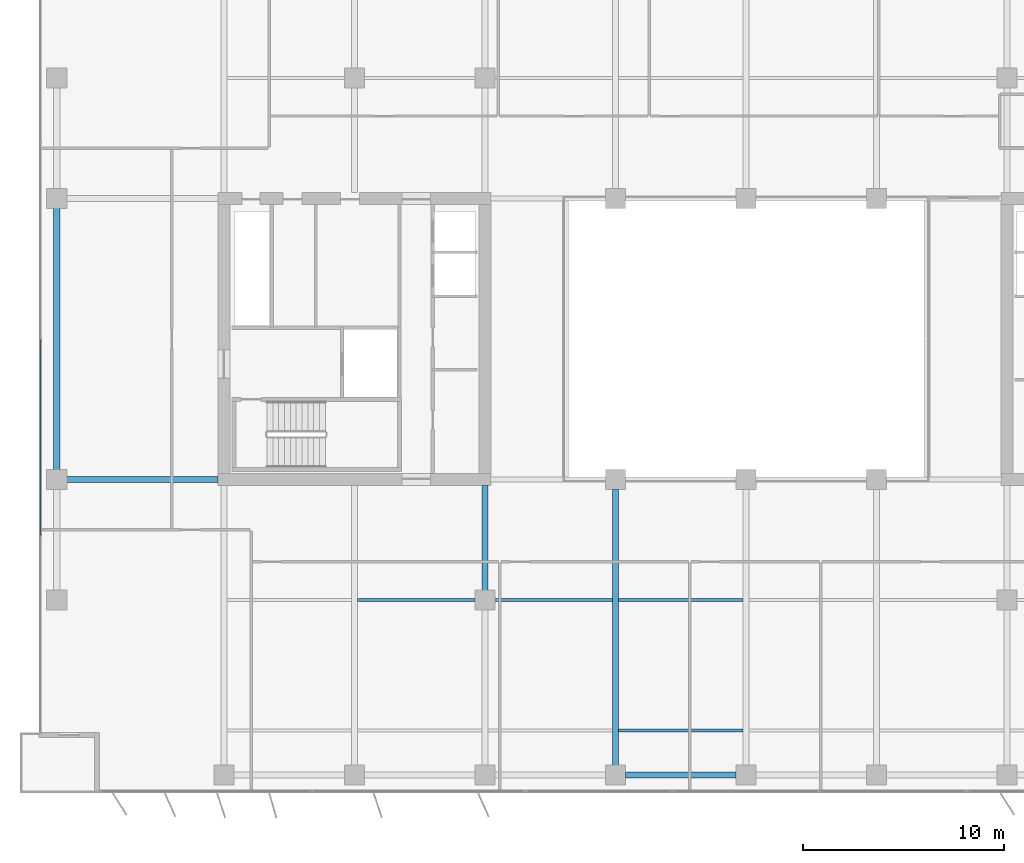
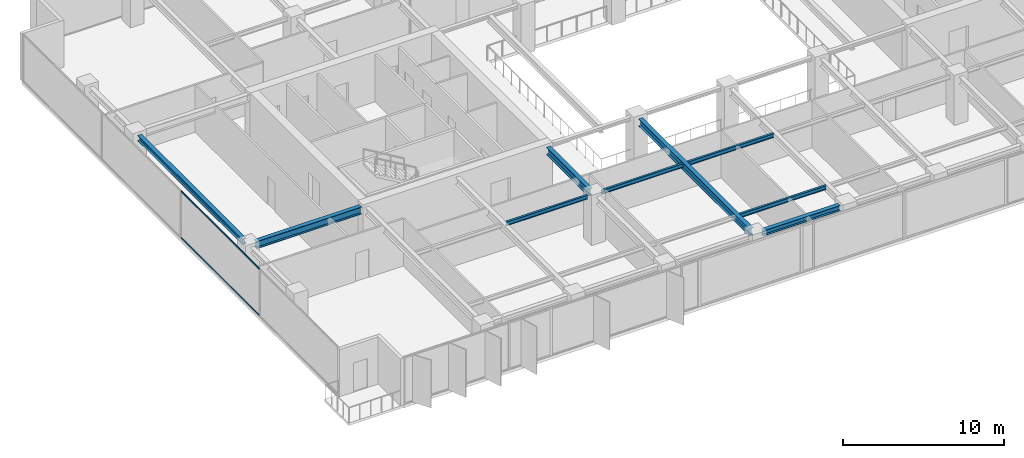
# One storey, part 3 of 22: 9 beams, 2 members, 1 element without a shape of its own.
"""IFC4 building model written with IfcOpenShell, lengths in metres."""

from ifc_helpers import new_model, si_unit, direction, frame, origin, origin_2d, place, context, subcontext, project, spatial, rectangle, i_section, extrude, material, layer, layer_set, material_profile, profile_set, type_object, element, aggregate, save


model = new_model("IFC4")

# Units and contexts
model_context = context("Model", 3, precision=1e-05, world=origin(), true_north=direction((0.0, 1.0)))
body_context = subcontext(model_context, "Body", "Model", "MODEL_VIEW")
ifc_project = project(units=[si_unit("LENGTHUNIT", "METRE"), si_unit("AREAUNIT", "SQUARE_METRE"), si_unit("VOLUMEUNIT", "CUBIC_METRE"), si_unit("PLANEANGLEUNIT", "RADIAN"), si_unit("MASSUNIT", "GRAM", prefix="KILO")], contexts=[model_context])

# Site, building, storey
site_placement = place(None, origin())
site = spatial("IfcSite", under=ifc_project, at=site_placement, CompositionType="ELEMENT")
building_placement = place(site_placement, origin())
building = spatial("IfcBuilding", under=site, at=building_placement, Name="Putna Gate Headquarters", CompositionType="ELEMENT")
storey_placement = place(building_placement, frame((0.0, 0.0, 163.199951171875)))
storey = spatial("IfcBuildingStorey", under=building, at=storey_placement, Name="L40", CompositionType="ELEMENT", Elevation=163.199951171875)

# Beams
ifc_material_1 = material(Name="Steel S355J2", Category="steel")
ifc_material_profile_1 = material_profile(ifc_material_1, i_section(OverallWidth=0.300048828125, OverallDepth=0.550048828125, WebThickness=0.014892578125, FlangeThickness=0.029052734375, at=origin_2d()), Name="Steel S355J2")
ifc_profile_set_1 = profile_set([ifc_material_profile_1], Name="Steel S355J2")
beam_type_1 = type_object("IfcBeamType", Name="BM-GIRD-Z3-HEB550", PredefinedType="USERDEFINED", material=ifc_profile_set_1)
beam_1_placement = place(storey_placement, frame((5.16796875, 19.0, 3.297119140625), z_axis=(1.0, 0.0, 0.0), x_axis=(0.0, 1.0, 0.0)))
element("IfcBeam", 1, at=beam_1_placement, inside=storey, type_object=beam_type_1, Name="L40 West Wing Girder Y19", ObjectType="GIRDER", PredefinedType="USERDEFINED", context=body_context, shape_type="SweptSolid", body=[
    extrude(i_section(OverallWidth=0.300048828125, OverallDepth=0.550048828125, WebThickness=0.014892578125, FlangeThickness=0.029052734375, at=origin_2d()), origin(), (0.0, 0.0, 1.0), 7.547119140625),
])
beam_2_placement = place(storey_placement, frame((26.0, 13.488037109375, 3.297119140625), z_axis=(0.0, 1.0, 0.0), x_axis=(-1.0, 0.0, 0.0)))
element("IfcBeam", 2, at=beam_2_placement, inside=storey, type_object=beam_type_1, Name="L40 South Primary Girder X26-2", ObjectType="GIRDER", PredefinedType="USERDEFINED", context=body_context, shape_type="SweptSolid", body=[
    extrude(i_section(OverallWidth=0.300048828125, OverallDepth=0.550048828125, WebThickness=0.014892578125, FlangeThickness=0.029052734375, at=origin_2d()), origin(), (0.0, 0.0, 1.0), 5.22705078125),
])
beam_3_placement = place(storey_placement, frame((32.5, 4.76806640625, 3.297119140625), z_axis=(0.0, 1.0, 0.0), x_axis=(-1.0, 0.0, 0.0)))
element("IfcBeam", 3, at=beam_3_placement, inside=storey, type_object=beam_type_1, Name="L40 South Primary Girder X32", ObjectType="GIRDER", PredefinedType="USERDEFINED", context=body_context, shape_type="SweptSolid", body=[
    extrude(i_section(OverallWidth=0.300048828125, OverallDepth=0.550048828125, WebThickness=0.014892578125, FlangeThickness=0.029052734375, at=origin_2d()), origin(), (0.0, 0.0, 1.0), 13.743896484375),
])
ifc_material_profile_2 = material_profile(ifc_material_1, i_section(OverallWidth=0.14990234375, OverallDepth=0.300048828125, WebThickness=0.007080078125, FlangeThickness=0.0107421875, at=origin_2d()), Name="Steel S355J2")
ifc_profile_set_2 = profile_set([ifc_material_profile_2], Name="Steel S355J2")
beam_type_2 = type_object("IfcBeamType", Name="BM-SEC-Z3-IPE300", PredefinedType="JOIST", material=ifc_profile_set_2)
for number, where, z_axis, x_axis, name in (
    (4, (19.654052734375, 13.0, 3.422119140625), (1.0, 0.0, 0.0), (0.0, 1.0, 0.0), "L40 South Secondary Beam 2"),
    (5, (26.488037109375, 13.0, 3.422119140625), (1.0, 0.0, 0.0), (0.0, 1.0, 0.0), "L40 South Secondary Beam 3"),
):
    element("IfcBeam", number, at=place(storey_placement, frame(where, z_axis=z_axis, x_axis=x_axis)), inside=storey, type_object=beam_type_2, Name=name, PredefinedType="JOIST", context=body_context, shape_type="SweptSolid", body=[
        extrude(i_section(OverallWidth=0.14990234375, OverallDepth=0.300048828125, WebThickness=0.007080078125, FlangeThickness=0.0107421875, at=origin_2d()), origin(), (0.0, 0.0, 1.0), 5.85791015625),
    ])
for number, where, z_axis, x_axis, name in (
    (6, (32.654052734375, 6.5, 3.422119140625), (1.0, 0.0, 0.0), (0.0, 1.0, 0.0), "L40 South Secondary Beam 4"),
    (7, (32.654052734375, 13.0, 3.422119140625), (1.0, 0.0, 0.0), (0.0, 1.0, 0.0), "L40 South Secondary Beam 4"),
):
    element("IfcBeam", number, at=place(storey_placement, frame(where, z_axis=z_axis, x_axis=x_axis)), inside=storey, type_object=beam_type_2, Name=name, PredefinedType="JOIST", context=body_context, shape_type="SweptSolid", body=[
        extrude(i_section(OverallWidth=0.14990234375, OverallDepth=0.300048828125, WebThickness=0.007080078125, FlangeThickness=0.0107421875, at=origin_2d()), origin(), (0.0, 0.0, 1.0), 6.19189453125),
    ])
ifc_material_profile_3 = material_profile(ifc_material_1, i_section(OverallWidth=0.300048828125, OverallDepth=0.39990234375, WebThickness=0.013427734375, FlangeThickness=0.02392578125, at=origin_2d()), Name="Steel S355J2")
ifc_profile_set_3 = profile_set([ifc_material_profile_3], Name="Steel S355J2")
beam_type_3 = type_object("IfcBeamType", Name="BM-SPAN-Z3-HEB400", PredefinedType="SPANDREL", material=ifc_profile_set_3)
beam_4_placement = place(storey_placement, frame((32.988037109375, 4.280029296875, 3.3720703125), z_axis=(1.0, 0.0, 0.0), x_axis=(0.0, 1.0, 0.0)))
element("IfcBeam", 8, at=beam_4_placement, inside=storey, type_object=beam_type_3, Name="L40 S Perimeter Spandrel 4", PredefinedType="SPANDREL", context=body_context, shape_type="SweptSolid", body=[
    extrude(i_section(OverallWidth=0.300048828125, OverallDepth=0.39990234375, WebThickness=0.013427734375, FlangeThickness=0.02392578125, at=origin_2d()), origin(), (0.0, 0.0, 1.0), 5.52392578125),
])
beam_5_placement = place(storey_placement, frame((4.679931640625, 19.488037109375, 3.3720703125), z_axis=(0.0, 1.0, 0.0), x_axis=(-1.0, 0.0, 0.0)))
element("IfcBeam", 9, at=beam_5_placement, inside=storey, type_object=beam_type_3, Name="L40 W End Spandrel 2", PredefinedType="SPANDREL", context=body_context, shape_type="SweptSolid", body=[
    extrude(i_section(OverallWidth=0.300048828125, OverallDepth=0.39990234375, WebThickness=0.013427734375, FlangeThickness=0.02392578125, at=origin_2d()), origin(), (0.0, 0.0, 1.0), 13.02392578125),
])

# Curtain wall, members
ifc_material_2 = material(Name="Anodised bronze aluminium curtain wall", Category="aluminium")
ifc_layer = layer(ifc_material_2, 0.159912109375)
ifc_layer_set = layer_set([ifc_layer], Name="Anodised bronze aluminium curtain wall")
curtain_wall_type = type_object("IfcCurtainWallType", Name="CW-SYS-Z3", PredefinedType="USERDEFINED", material=ifc_layer_set)
curtain_wall_placement = place(storey_placement, origin())
curtain_wall = element("IfcCurtainWall", 10, at=curtain_wall_placement, inside=storey, type_object=curtain_wall_type, Name="L40 West Curtain Wall", ObjectType="STICK CURTAIN WALL", PredefinedType="USERDEFINED")
ifc_material_3 = material(Name="Anodised bronze aluminium EN AW-6060", Category="aluminium")
ifc_material_profile_4 = material_profile(ifc_material_3, rectangle(XDim=0.06005859375, YDim=0.10009765625, at=origin_2d()), Name="Anodised bronze aluminium EN AW-6060")
ifc_profile_set_4 = profile_set([ifc_material_profile_4], Name="Anodised bronze aluminium EN AW-6060")
member_type = type_object("IfcMemberType", Name="TRAN-CWT-3", PredefinedType="USERDEFINED", material=ifc_profile_set_4)
member_1_placement = place(storey_placement, frame((3.8798828125, 16.232421875, 0.030029296875), z_axis=(0.0, 1.0, 0.0), x_axis=(-1.0, 0.0, 0.0)))
member_1 = element("IfcMember", 11, at=member_1_placement, type_object=member_type, Name="CWS-3 transom 2.1", ObjectType="TRANSOM", PredefinedType="USERDEFINED", context=body_context, shape_type="SweptSolid", body=[
    extrude(rectangle(XDim=0.06005859375, YDim=0.10009765625, at=origin_2d()), origin(), (0.0, 0.0, 1.0), 9.735107421875),
])
member_2_placement = place(storey_placement, frame((3.8798828125, 16.232421875, 3.5419921875), z_axis=(0.0, 1.0, 0.0), x_axis=(-1.0, 0.0, 0.0)))
member_2 = element("IfcMember", 12, at=member_2_placement, type_object=member_type, Name="CWS-3 transom 2.2", ObjectType="TRANSOM", PredefinedType="USERDEFINED", context=body_context, shape_type="SweptSolid", body=[
    extrude(rectangle(XDim=0.06005859375, YDim=0.10009765625, at=origin_2d()), origin(), (0.0, 0.0, 1.0), 9.735107421875),
])
aggregate(curtain_wall, [member_1, member_2])

save(model, "model.ifc")
